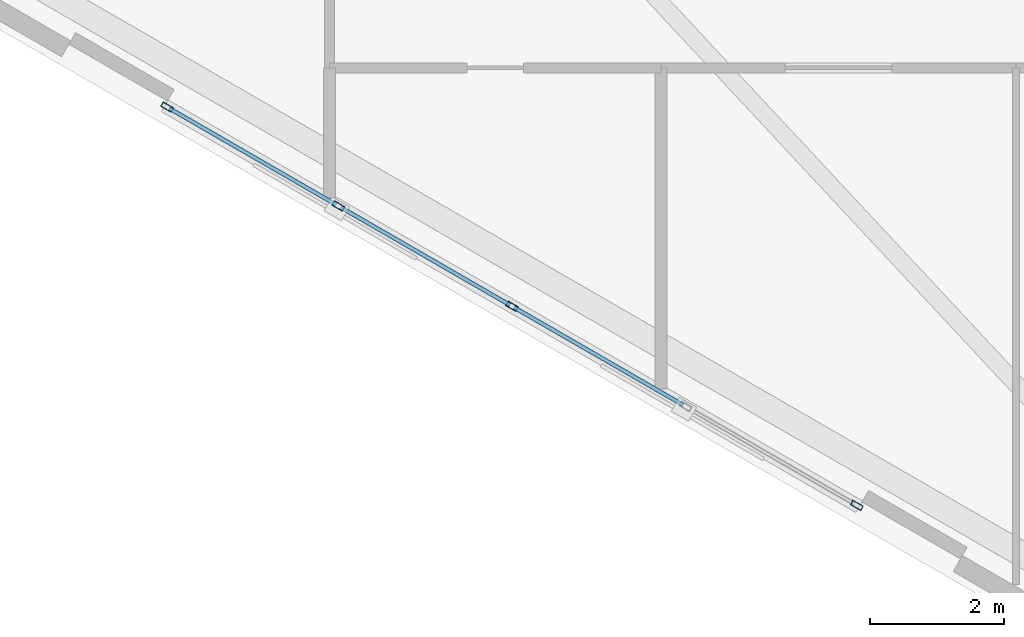
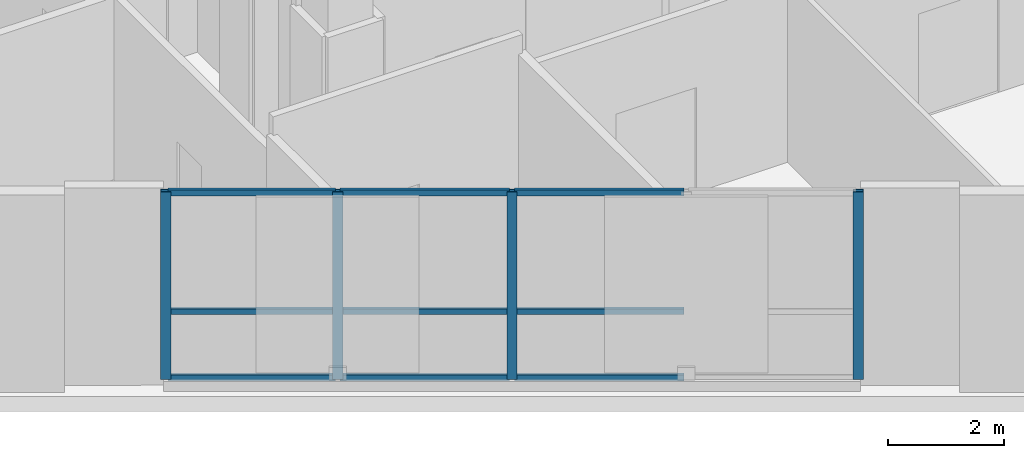
# One storey, part 3 of 27: 13 members, 1 element without a shape of its own.
"""IFC4 building model written with IfcOpenShell, lengths in metres."""

from ifc_helpers import new_model, si_unit, direction, frame, origin, origin_2d, place, context, subcontext, project, spatial, hollow_rectangle, extrude, material, layer, layer_set, material_profile, profile_set, type_object, element, aggregate, save


model = new_model("IFC4")

# Units and contexts
model_context = context("Model", 3, precision=1e-05, world=origin(), true_north=direction((0.0, 1.0)))
body_context = subcontext(model_context, "Body", "Model", "MODEL_VIEW")
ifc_project = project(units=[si_unit("LENGTHUNIT", "METRE"), si_unit("AREAUNIT", "SQUARE_METRE"), si_unit("VOLUMEUNIT", "CUBIC_METRE"), si_unit("PLANEANGLEUNIT", "RADIAN"), si_unit("MASSUNIT", "GRAM", prefix="KILO")], contexts=[model_context])

# Site, building, storey
site_placement = place(None, origin())
site = spatial("IfcSite", under=ifc_project, at=site_placement, CompositionType="ELEMENT")
building_placement = place(site_placement, origin())
building = spatial("IfcBuilding", under=site, at=building_placement, Name="Mersakhor Tower and Convention Hall", CompositionType="ELEMENT")
storey_placement = place(building_placement, frame((0.0, 0.0, 14.39990234375)))
storey = spatial("IfcBuildingStorey", under=building, at=storey_placement, Name="L03", CompositionType="ELEMENT", Elevation=14.39990234375)

# Curtain wall, members
ifc_material_1 = material(Name="Dark solar low-E aluminium curtain wall", Category="aluminium")
ifc_layer = layer(ifc_material_1, 0.18994140625)
ifc_layer_set = layer_set([ifc_layer], Name="Dark solar low-E aluminium curtain wall")
curtain_wall_type = type_object("IfcCurtainWallType", Name="CW-SYS-04", PredefinedType="USERDEFINED", material=ifc_layer_set)
curtain_wall_placement = place(storey_placement, origin())
curtain_wall = element("IfcCurtainWall", 1, at=curtain_wall_placement, inside=storey, type_object=curtain_wall_type, Name="L03 Dark-Glass Curtain Wall F3-B2", ObjectType="CURTAIN WALL", PredefinedType="USERDEFINED")
ifc_material_2 = material(Name="Anodised aluminium EN AW-6063 T6", Category="aluminium")
ifc_material_profile_1 = material_profile(ifc_material_2, hollow_rectangle(XDim=0.080078125, YDim=0.179931640625, WallThickness=0.008056640625, at=origin_2d()), Name="RHS 180x80x8")
ifc_profile_set_1 = profile_set([ifc_material_profile_1], Name="Anodised aluminium EN AW-6063 T6")
member_type_1 = type_object("IfcMemberType", Name="CWM-180x80", PredefinedType="MULLION", material=ifc_profile_set_1)
member_1_placement = place(storey_placement, frame((26.724853515625, 10.916259765625, 0.2001953125), z_axis=(0.0, 0.0, 1.0), x_axis=(-0.50000344889, -0.866023412558, 0.0)))
member_1 = element("IfcMember", 2, at=member_1_placement, type_object=member_type_1, Name="CW-04 mullion 1", PredefinedType="MULLION", context=body_context, shape_type="SweptSolid", body=[
    extrude(hollow_rectangle(XDim=0.080078125, YDim=0.179931640625, WallThickness=0.008056640625, at=origin_2d()), origin(), (0.0, 0.0, 1.0), 3.93994140625),
])
member_2_placement = place(storey_placement, frame((21.574951171875, 13.889404296875, 0.2001953125), z_axis=(0.0, 0.0, 1.0), x_axis=(-0.50000344889, -0.866023412558, 0.0)))
member_2 = element("IfcMember", 3, at=member_2_placement, type_object=member_type_1, Name="CW-04 mullion 3", PredefinedType="MULLION", context=body_context, shape_type="SweptSolid", body=[
    extrude(hollow_rectangle(XDim=0.080078125, YDim=0.179931640625, WallThickness=0.008056640625, at=origin_2d()), origin(), (0.0, 0.0, 1.0), 3.93994140625),
])
member_3_placement = place(storey_placement, frame((18.982666015625, 15.38623046875, 0.2001953125), z_axis=(0.0, 0.0, 1.0), x_axis=(-0.50000344889, -0.866023412558, 0.0)))
member_3 = element("IfcMember", 4, at=member_3_placement, type_object=member_type_1, Name="CW-04 mullion 4", PredefinedType="MULLION", context=body_context, shape_type="SweptSolid", body=[
    extrude(hollow_rectangle(XDim=0.080078125, YDim=0.179931640625, WallThickness=0.008056640625, at=origin_2d()), origin(), (0.0, 0.0, 1.0), 3.93994140625),
])
member_4_placement = place(storey_placement, frame((16.425048828125, 16.86279296875, 0.2001953125), z_axis=(0.0, 0.0, 1.0), x_axis=(-0.50000344889, -0.866023412558, 0.0)))
member_4 = element("IfcMember", 5, at=member_4_placement, type_object=member_type_1, Name="CW-04 mullion 5", PredefinedType="MULLION", context=body_context, shape_type="SweptSolid", body=[
    extrude(hollow_rectangle(XDim=0.080078125, YDim=0.179931640625, WallThickness=0.008056640625, at=origin_2d()), origin(), (0.0, 0.0, 1.0), 3.93994140625),
])
ifc_material_3 = material(Name="Anodised aluminium EN AW-6063 T6", Category="aluminium")
ifc_material_profile_2 = material_profile(ifc_material_3, hollow_rectangle(XDim=0.06005859375, YDim=0.1201171875, WallThickness=0.0048828125, at=origin_2d()), Name="RHS 120x60x5")
ifc_profile_set_2 = profile_set([ifc_material_profile_2], Name="Anodised aluminium EN AW-6063 T6")
member_type_2 = type_object("IfcMemberType", Name="CWT-120x60", PredefinedType="USERDEFINED", material=ifc_profile_set_2)
member_5_placement = place(storey_placement, frame((24.132568359375, 12.412841796875, 0.22998046875), z_axis=(-0.866037657489, 0.499978775361, 0.0), x_axis=(-0.499978775361, -0.866037657489, 0.0)))
member_5 = element("IfcMember", 6, at=member_5_placement, type_object=member_type_2, Name="CW-04 transom 2.1", ObjectType="TRANSOM", PredefinedType="USERDEFINED", context=body_context, shape_type="SweptSolid", body=[
    extrude(hollow_rectangle(XDim=0.06005859375, YDim=0.1201171875, WallThickness=0.0048828125, at=origin_2d()), origin(), (0.0, 0.0, 1.0), 2.913330078125),
])
member_6_placement = place(storey_placement, frame((24.132568359375, 12.412841796875, 1.6201171875), z_axis=(-0.866037657489, 0.499978775361, 0.0), x_axis=(-0.499978775361, -0.866037657489, 0.0)))
member_6 = element("IfcMember", 7, at=member_6_placement, type_object=member_type_2, Name="CW-04 transom 2.2", ObjectType="TRANSOM", PredefinedType="USERDEFINED", context=body_context, shape_type="SweptSolid", body=[
    extrude(hollow_rectangle(XDim=0.06005859375, YDim=0.1201171875, WallThickness=0.0048828125, at=origin_2d()), origin(), (0.0, 0.0, 1.0), 2.913330078125),
])
member_7_placement = place(storey_placement, frame((24.132568359375, 12.412841796875, 4.110107421875), z_axis=(-0.866037657489, 0.499978775361, 0.0), x_axis=(-0.499978775361, -0.866037657489, 0.0)))
member_7 = element("IfcMember", 8, at=member_7_placement, type_object=member_type_2, Name="CW-04 transom 2.3", ObjectType="TRANSOM", PredefinedType="USERDEFINED", context=body_context, shape_type="SweptSolid", body=[
    extrude(hollow_rectangle(XDim=0.06005859375, YDim=0.1201171875, WallThickness=0.0048828125, at=origin_2d()), origin(), (0.0, 0.0, 1.0), 2.913330078125),
])
member_8_placement = place(storey_placement, frame((21.540283203125, 13.909423828125, 0.22998046875), z_axis=(-0.866001369261, 0.500041626706, 0.0), x_axis=(-0.500041626706, -0.866001369261, 0.0)))
member_8 = element("IfcMember", 9, at=member_8_placement, type_object=member_type_2, Name="CW-04 transom 3.1", ObjectType="TRANSOM", PredefinedType="USERDEFINED", context=body_context, shape_type="SweptSolid", body=[
    extrude(hollow_rectangle(XDim=0.06005859375, YDim=0.1201171875, WallThickness=0.0048828125, at=origin_2d()), origin(), (0.0, 0.0, 1.0), 2.913330078125),
])
member_9_placement = place(storey_placement, frame((21.540283203125, 13.909423828125, 1.6201171875), z_axis=(-0.866001369261, 0.500041626706, 0.0), x_axis=(-0.500041626706, -0.866001369261, 0.0)))
member_9 = element("IfcMember", 10, at=member_9_placement, type_object=member_type_2, Name="CW-04 transom 3.2", ObjectType="TRANSOM", PredefinedType="USERDEFINED", context=body_context, shape_type="SweptSolid", body=[
    extrude(hollow_rectangle(XDim=0.06005859375, YDim=0.1201171875, WallThickness=0.0048828125, at=origin_2d()), origin(), (0.0, 0.0, 1.0), 2.913330078125),
])
member_10_placement = place(storey_placement, frame((21.540283203125, 13.909423828125, 4.110107421875), z_axis=(-0.866001369261, 0.500041626706, 0.0), x_axis=(-0.500041626706, -0.866001369261, 0.0)))
member_10 = element("IfcMember", 11, at=member_10_placement, type_object=member_type_2, Name="CW-04 transom 3.3", ObjectType="TRANSOM", PredefinedType="USERDEFINED", context=body_context, shape_type="SweptSolid", body=[
    extrude(hollow_rectangle(XDim=0.06005859375, YDim=0.1201171875, WallThickness=0.0048828125, at=origin_2d()), origin(), (0.0, 0.0, 1.0), 2.913330078125),
])
member_11_placement = place(storey_placement, frame((18.947998046875, 15.40625, 0.22998046875), z_axis=(-0.866038426532, 0.499977443261, 0.0), x_axis=(-0.499977443261, -0.866038426532, 0.0)))
member_11 = element("IfcMember", 12, at=member_11_placement, type_object=member_type_2, Name="CW-04 transom 4.1", ObjectType="TRANSOM", PredefinedType="USERDEFINED", context=body_context, shape_type="SweptSolid", body=[
    extrude(hollow_rectangle(XDim=0.06005859375, YDim=0.1201171875, WallThickness=0.0048828125, at=origin_2d()), origin(), (0.0, 0.0, 1.0), 2.873291015625),
])
member_12_placement = place(storey_placement, frame((18.947998046875, 15.40625, 1.6201171875), z_axis=(-0.866038426532, 0.499977443261, 0.0), x_axis=(-0.499977443261, -0.866038426532, 0.0)))
member_12 = element("IfcMember", 13, at=member_12_placement, type_object=member_type_2, Name="CW-04 transom 4.2", ObjectType="TRANSOM", PredefinedType="USERDEFINED", context=body_context, shape_type="SweptSolid", body=[
    extrude(hollow_rectangle(XDim=0.06005859375, YDim=0.1201171875, WallThickness=0.0048828125, at=origin_2d()), origin(), (0.0, 0.0, 1.0), 2.873291015625),
])
member_13_placement = place(storey_placement, frame((18.947998046875, 15.40625, 4.110107421875), z_axis=(-0.866038426532, 0.499977443261, 0.0), x_axis=(-0.499977443261, -0.866038426532, 0.0)))
member_13 = element("IfcMember", 14, at=member_13_placement, type_object=member_type_2, Name="CW-04 transom 4.3", ObjectType="TRANSOM", PredefinedType="USERDEFINED", context=body_context, shape_type="SweptSolid", body=[
    extrude(hollow_rectangle(XDim=0.06005859375, YDim=0.1201171875, WallThickness=0.0048828125, at=origin_2d()), origin(), (0.0, 0.0, 1.0), 2.873291015625),
])
aggregate(curtain_wall, [member_1, member_2, member_3, member_4, member_5, member_6, member_7, member_8, member_9, member_10, member_11, member_12, member_13])

save(model, "model.ifc")
